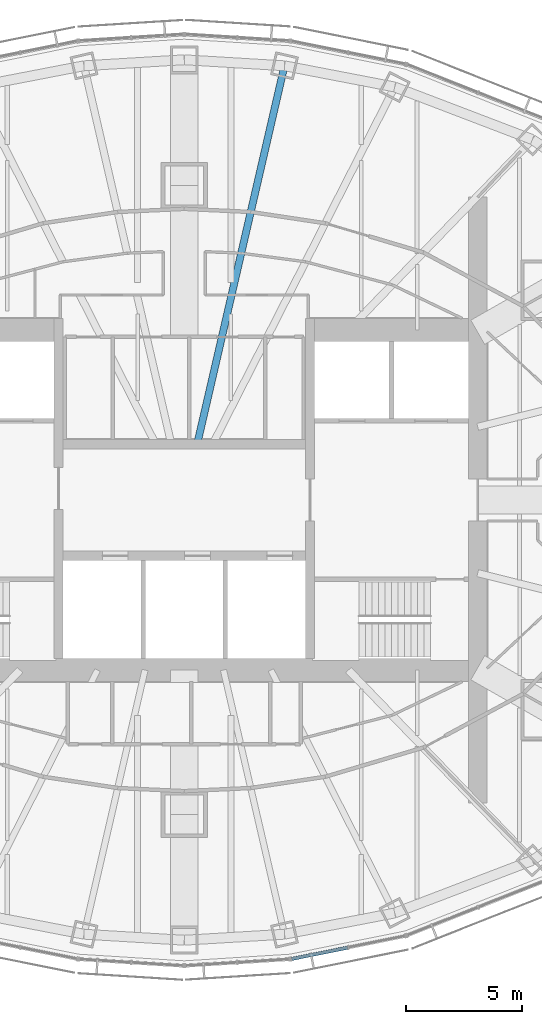
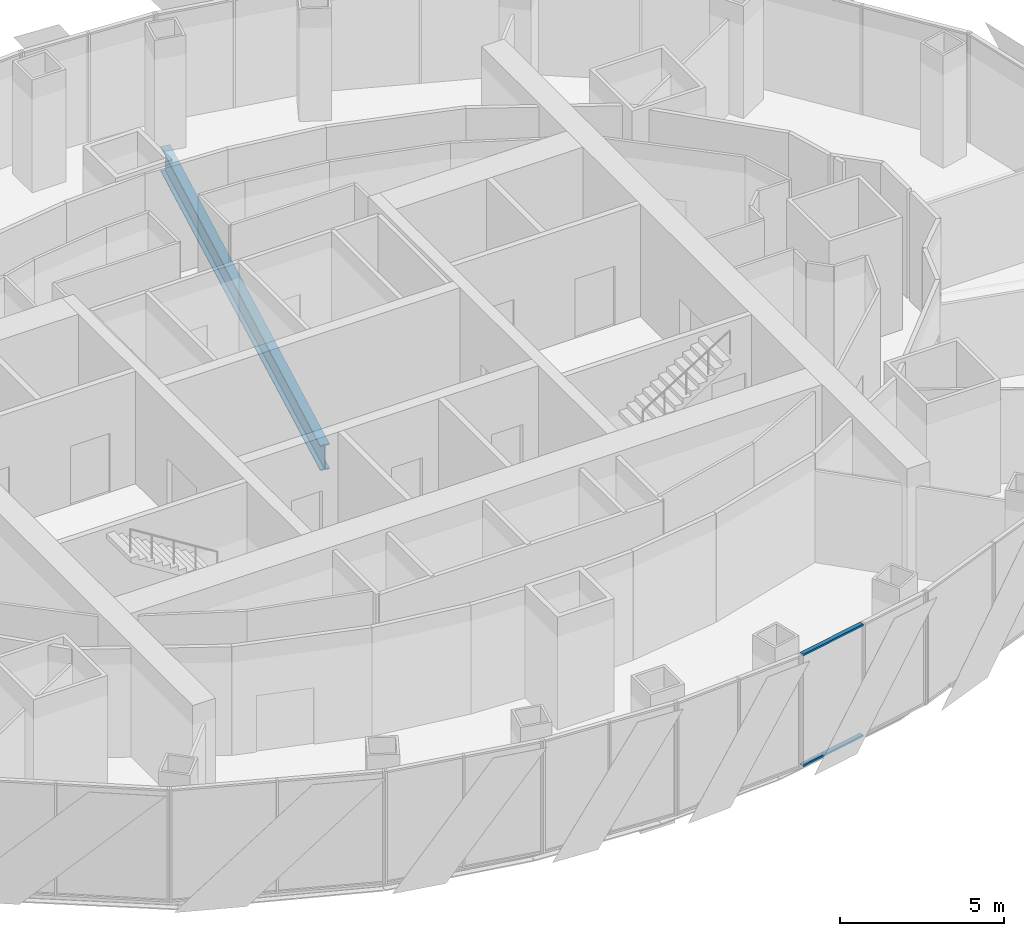
# One storey, part 5 of 17: 2 members, 1 beam, 1 element without a shape of its own.
"""IFC4 building model written with IfcOpenShell, lengths in metres."""

import ifcopenshell
import ifcopenshell.guid

model = None  # the IFC model being written
_history = None  # IfcOwnerHistory: only IFC2X3 demands one
_inside = {}  # id of a spatial element -> (the spatial element, [elements in it])
_under = {}  # id of a project, library or spatial element -> (it, [spatial elements below it])
_declared = {}  # id of a project -> (the project, [libraries it declares])
_typed = {}  # id of a type object -> (the type object, [elements of that type])
_made_of = {}  # id of a material, layer set ... -> (it, [elements and type objects made of it])


def new_model(schema):
    """Start an empty IFC model of exactly this schema.

    Asked for "IFC4X3", IfcOpenShell would pick the latest addendum, in which some entities
    have other attributes; the version numbers below select the first issue.
    IFC2X3 requires an IfcOwnerHistory on every rooted entity: one is made here for all.
    """
    global model, _history
    if schema == "IFC4X3":
        model = ifcopenshell.file(schema_version=(4, 3, 0, 0))
    else:
        model = ifcopenshell.file(schema=schema)
    _inside.clear()
    _under.clear()
    _declared.clear()
    _typed.clear()
    _made_of.clear()
    _history = None
    if model.schema == "IFC2X3":
        org = make("IfcOrganization", Name="unknown")
        user = make(
            "IfcPersonAndOrganization",
            ThePerson=make("IfcPerson", FamilyName="unknown"),
            TheOrganization=org,
        )
        app = make(
            "IfcApplication",
            ApplicationDeveloper=org,
            Version="unknown",
            ApplicationFullName="unknown",
            ApplicationIdentifier="unknown",
        )
        _history = make(
            "IfcOwnerHistory",
            OwningUser=user,
            OwningApplication=app,
            ChangeAction="ADDED",
            CreationDate=0,
        )
    return model


def make(cls, **values):
    """One entity of the class cls with the attributes given. An attribute that is None is left unset."""
    return model.create_entity(
        cls, **{name: value for name, value in values.items() if value is not None}
    )


def rooted(cls, **values):
    """An entity with a GlobalId (a new one), such as an element, a storey or a relation."""
    return make(cls, GlobalId=ifcopenshell.guid.new(), OwnerHistory=_history, **values)


def si_unit(unit_type, name, prefix=None):
    """IfcSIUnit, for example si_unit("LENGTHUNIT", "METRE", prefix="MILLI")."""
    return make("IfcSIUnit", UnitType=unit_type, Prefix=prefix, Name=name)


def assignment(units):
    """IfcUnitAssignment: the units of a project."""
    return None if units is None else make("IfcUnitAssignment", Units=units)


def point(xyz):
    """IfcCartesianPoint."""
    return None if xyz is None else make("IfcCartesianPoint", Coordinates=xyz)


def direction(xyz):
    """IfcDirection."""
    return None if xyz is None else make("IfcDirection", DirectionRatios=xyz)


def frame(location, z_axis=None, x_axis=None):
    """IfcAxis2Placement3D, a coordinate frame: its origin and axes. An axis left out is left unset."""
    return make(
        "IfcAxis2Placement3D",
        Location=point(location),
        Axis=direction(z_axis),
        RefDirection=direction(x_axis),
    )


def frame_2d(location, x_axis=None):
    """IfcAxis2Placement2D, a coordinate frame in the plane: its origin and x axis."""
    return make(
        "IfcAxis2Placement2D", Location=point(location), RefDirection=direction(x_axis)
    )


def origin():
    """The frame at (0, 0, 0) with its axes left unset."""
    return frame((0.0, 0.0, 0.0))


def origin_2d():
    """The frame at (0, 0) in the plane with its x axis left unset."""
    return frame_2d((0.0, 0.0))


def place(relative_to, where):
    """IfcLocalPlacement: puts the frame where relative to a parent placement (None: the world)."""
    return make(
        "IfcLocalPlacement", PlacementRelTo=relative_to, RelativePlacement=where
    )


def context(
    kind, dimensions, precision=None, world=None, true_north=None, identifier=None
):
    """IfcGeometricRepresentationContext, for example the 3D "Model" context."""
    return make(
        "IfcGeometricRepresentationContext",
        ContextIdentifier=identifier,
        ContextType=kind,
        CoordinateSpaceDimension=dimensions,
        Precision=precision,
        WorldCoordinateSystem=world,
        TrueNorth=true_north,
    )


def subcontext(parent, identifier, kind, view, scale=None):
    """IfcGeometricRepresentationSubContext, for example "Body" below "Model"."""
    return make(
        "IfcGeometricRepresentationSubContext",
        ContextIdentifier=identifier,
        ContextType=kind,
        ParentContext=parent,
        TargetScale=scale,
        TargetView=view,
    )


def project(units=None, contexts=None):
    """IfcProject with its units and contexts."""
    return rooted(
        "IfcProject",
        Name="project",
        RepresentationContexts=contexts,
        UnitsInContext=assignment(units),
    )


def spatial(cls, under=None, at=None, **own):
    """A site, building, storey or space (cls), placed at a placement, below another one or the project."""
    s = rooted(cls, ObjectPlacement=at, **own)
    if under is not None:
        _under.setdefault(under.id(), (under, []))[1].append(s)
    return s


def profile(cls, at=None, kind="AREA", **sizes):
    """A parametric profile (cls). Its sizes go by their IFC names, for example OverallWidth=200.0."""
    return make(cls, ProfileType=kind, Position=at, **sizes)


def rectangle(**sizes):
    """IfcRectangleProfileDef."""
    return profile("IfcRectangleProfileDef", **sizes)


def i_section(**sizes):
    """IfcIShapeProfileDef."""
    return profile("IfcIShapeProfileDef", **sizes)


def extrude(swept, where, along, depth):
    """IfcExtrudedAreaSolid: the profile swept, set in the frame where, extruded along a direction by depth."""
    return make(
        "IfcExtrudedAreaSolid",
        SweptArea=swept,
        Position=where,
        ExtrudedDirection=direction(along),
        Depth=depth,
    )


def shape(context_of_items, identifier, shape_type, items):
    """IfcShapeRepresentation: the items that make up one representation, for example the "Body"."""
    return make(
        "IfcShapeRepresentation",
        ContextOfItems=context_of_items,
        RepresentationIdentifier=identifier,
        RepresentationType=shape_type,
        Items=items,
    )


def material(Name=None, Category=None):
    """IfcMaterial."""
    return make("IfcMaterial", Name=Name, Category=Category)


def material_profile(
    of_material, cross_section, Name=None, Category=None, Priority=None
):
    """IfcMaterialProfile: a cross section and its material."""
    return make(
        "IfcMaterialProfile",
        Name=Name,
        Material=of_material,
        Profile=cross_section,
        Priority=Priority,
        Category=Category,
    )


def profile_set(profiles, Name=None, composite=None):
    """IfcMaterialProfileSet."""
    return make(
        "IfcMaterialProfileSet",
        Name=Name,
        MaterialProfiles=profiles,
        CompositeProfile=composite,
    )


def made_of(thing, what):
    """Note that an element or type object is made of a material, layer set ...; save() writes the relation."""
    if what is not None:
        _made_of.setdefault(what.id(), (what, []))[1].append(thing)
    return thing


def type_object(cls, material=None, **own):
    """A type object (cls), such as IfcWallType, which elements share."""
    return made_of(rooted(cls, **own), material)


def element(
    cls,
    number,
    at=None,
    inside=None,
    cuts=None,
    type_object=None,
    material=None,
    context=None,
    identifier="Body",
    shape_type=None,
    held_by="IfcProductDefinitionShape",
    body=None,
    shapes=None,
    **own,
):
    """One element of the class cls, such as IfcWall. Its Tag is "e" and its number.

    at: its placement. inside: the storey or other place that contains it. cuts: it is an
    opening in that element (IfcRelVoidsElement). A single representation is given by context,
    identifier, shape_type and body (its items); several are given by shapes. held_by: the class
    of the entity that holds the representations. save() writes the other relations.
    """
    e = rooted(cls, Tag="e%d" % number, ObjectPlacement=at, **own)
    if body is not None:
        shapes = [shape(context, identifier, shape_type, body)]
    if shapes is not None:
        e.Representation = make(held_by, Representations=shapes)
    if inside is not None:
        _inside.setdefault(inside.id(), (inside, []))[1].append(e)
    if cuts is not None:
        rooted(
            "IfcRelVoidsElement", RelatingBuildingElement=cuts, RelatedOpeningElement=e
        )
    if type_object is not None:
        _typed.setdefault(type_object.id(), (type_object, []))[1].append(e)
    return made_of(e, material)


def aggregate(whole, parts):
    """IfcRelAggregates: a whole, such as a stair, and the parts it consists of."""
    return rooted("IfcRelAggregates", RelatingObject=whole, RelatedObjects=parts)


def save(model, path):
    """Write the relations noted so far, then the file.

    IfcRelAggregates (storeys below a building ...), IfcRelContainedInSpatialStructure (elements
    in a storey), IfcRelDefinesByType, IfcRelAssociatesMaterial and IfcRelDeclares: one each for
    every whole, place, type object, material and project.
    """
    for whole, parts in _under.values():
        aggregate(whole, parts)
    for where, things in _inside.values():
        rooted(
            "IfcRelContainedInSpatialStructure",
            RelatedElements=things,
            RelatingStructure=where,
        )
    for kind, things in _typed.values():
        rooted("IfcRelDefinesByType", RelatedObjects=things, RelatingType=kind)
    for what, things in _made_of.values():
        rooted("IfcRelAssociatesMaterial", RelatedObjects=things, RelatingMaterial=what)
    for by, libraries in _declared.values():
        rooted("IfcRelDeclares", RelatingContext=by, RelatedDefinitions=libraries)
    model.write(path)


model = new_model("IFC4")

# Units and contexts
model_context = context("Model", 3, precision=1e-05, world=origin(), true_north=direction((0.0, 1.0)))
body_context = subcontext(model_context, "Body", "Model", "MODEL_VIEW")
ifc_project = project(units=[si_unit("LENGTHUNIT", "METRE"), si_unit("AREAUNIT", "SQUARE_METRE"), si_unit("VOLUMEUNIT", "CUBIC_METRE"), si_unit("PLANEANGLEUNIT", "RADIAN"), si_unit("MASSUNIT", "GRAM", prefix="KILO")], contexts=[model_context])

# Site, building, storey
site_placement = place(None, origin())
site = spatial("IfcSite", under=ifc_project, at=site_placement, CompositionType="ELEMENT")
building_placement = place(site_placement, origin())
building = spatial("IfcBuilding", under=site, at=building_placement, Name="Lantaw Convention Tower", CompositionType="ELEMENT")
storey_placement = place(building_placement, frame((0.0, 0.0, 203.199951171875)))
storey = spatial("IfcBuildingStorey", under=building, at=storey_placement, Name="L47", CompositionType="ELEMENT", Elevation=203.199951171875)

# Beam
ifc_material_1 = material(Name="Steel ASTM A992", Category="steel")
ifc_material_profile_1 = material_profile(ifc_material_1, i_section(OverallWidth=0.307373046875, OverallDepth=0.9423828125, WebThickness=0.022216796875, FlangeThickness=0.039794921875, FilletRadius=0.0126953125, at=origin_2d()), Name="W36X232")
ifc_profile_set_1 = profile_set([ifc_material_profile_1], Name="Steel ASTM A992")
beam_type = type_object("IfcBeamType", Name="Beam G W36X232", PredefinedType="BEAM", material=ifc_profile_set_1)
beam_placement = place(storey_placement, frame((0.55419921875, 2.39990234375, -0.62109375), z_axis=(0.224948287002, 0.974370703672, 0.0), x_axis=(-0.974370703672, 0.224948287002, 0.0)))
element("IfcBeam", 1, at=beam_placement, inside=storey, type_object=beam_type, Name="Floor girder on ray 6", PredefinedType="BEAM", context=body_context, shape_type="SweptSolid", body=[
    extrude(i_section(OverallWidth=0.307373046875, OverallDepth=0.9423828125, WebThickness=0.022216796875, FlangeThickness=0.039794921875, FilletRadius=0.0126953125, at=origin_2d()), origin(), (0.0, 0.0, 1.0), 16.66943359375),
])

# Curtain wall, members
ifc_material_2 = material(Name="Aluminium framed curtain wall", Category="aluminium")
curtain_wall_type = type_object("IfcCurtainWallType", Name="Office curtain wall high rise, pale aluminium", PredefinedType="USERDEFINED", material=ifc_material_2)
curtain_wall_placement = place(storey_placement, origin())
curtain_wall = element("IfcCurtainWall", 2, at=curtain_wall_placement, inside=storey, type_object=curtain_wall_type, Name="Office curtain wall high rise, pale aluminium L47", ObjectType="UNITISED CURTAIN WALL", PredefinedType="USERDEFINED")
ifc_material_3 = material(Name="Aluminium 6063-T6", Category="aluminium")
ifc_material_profile_2 = material_profile(ifc_material_3, rectangle(XDim=0.14990234375, YDim=0.06494140625, at=origin_2d()), Name="CW-O2 transom 65x150")
ifc_profile_set_2 = profile_set([ifc_material_profile_2], Name="Aluminium 6063-T6")
member_type = type_object("IfcMemberType", Name="CW-O2 transom 65x150", PredefinedType="USERDEFINED", material=ifc_profile_set_2)
member_1_placement = place(storey_placement, frame((4.614990234375, -19.700927734375, -0.117431640625), z_axis=(0.980380354178, 0.197115096178, 0.0), x_axis=(-0.197115096178, 0.980380354178, 0.0)))
member_1 = element("IfcMember", 3, at=member_1_placement, type_object=member_type, Name="CW-O2 transom 1.1", ObjectType="TRANSOM", PredefinedType="USERDEFINED", context=body_context, shape_type="SweptSolid", body=[
    extrude(rectangle(XDim=0.14990234375, YDim=0.06494140625, at=origin_2d()), origin(), (0.0, 0.0, 1.0), 2.443603515625),
])
member_2_placement = place(storey_placement, frame((4.614990234375, -19.700927734375, 4.017578125), z_axis=(0.980380354178, 0.197115096178, 0.0), x_axis=(-0.197115096178, 0.980380354178, 0.0)))
member_2 = element("IfcMember", 4, at=member_2_placement, type_object=member_type, Name="CW-O2 transom 1.2", ObjectType="TRANSOM", PredefinedType="USERDEFINED", context=body_context, shape_type="SweptSolid", body=[
    extrude(rectangle(XDim=0.14990234375, YDim=0.06494140625, at=origin_2d()), origin(), (0.0, 0.0, 1.0), 2.443603515625),
])
aggregate(curtain_wall, [member_1, member_2])

save(model, "model.ifc")
